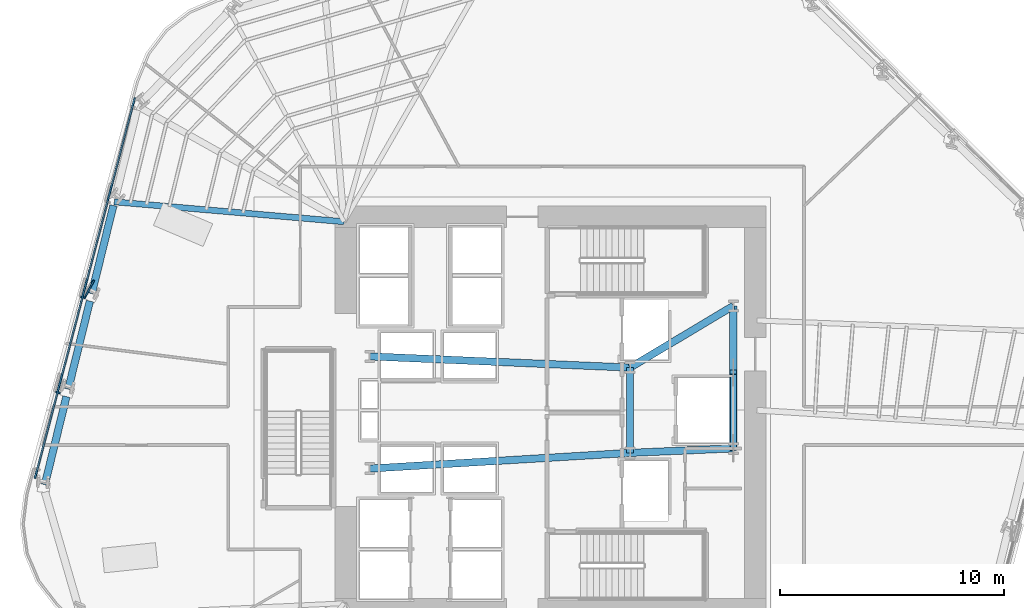
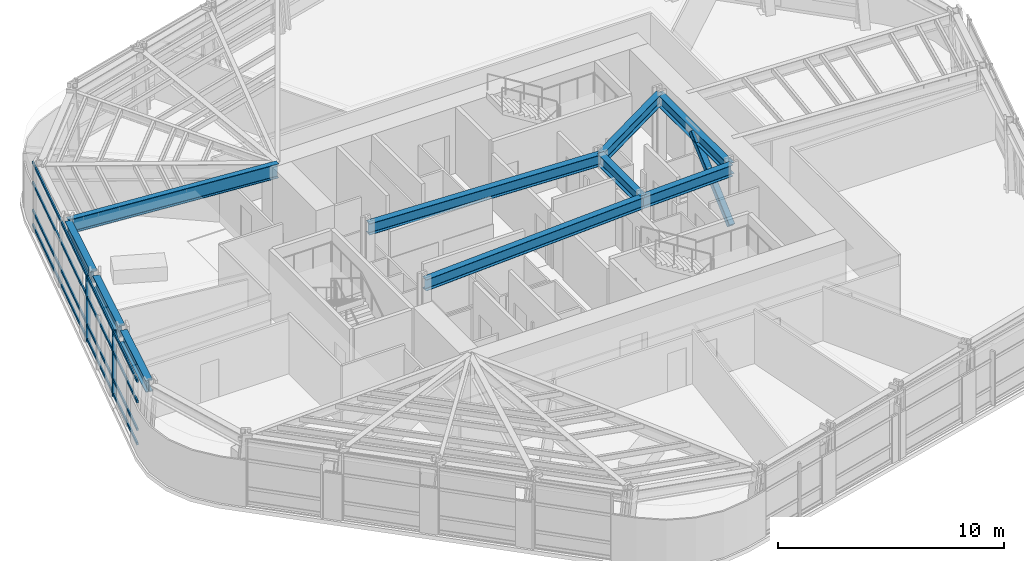
# One storey, part 3 of 16: 10 beams, 8 members, 1 element without a shape of its own.
"""IFC4 building model written with IfcOpenShell, lengths in metres."""

from ifc_helpers import new_model, si_unit, direction, frame, origin, origin_2d, place, context, subcontext, project, spatial, rectangle, hollow_rectangle, i_section, extrude, material, layer, layer_set, material_profile, profile_set, type_object, element, aggregate, save


model = new_model("IFC4")

# Units and contexts
model_context = context("Model", 3, precision=1e-05, world=origin(), true_north=direction((0.0, 1.0)))
body_context = subcontext(model_context, "Body", "Model", "MODEL_VIEW")
ifc_project = project(units=[si_unit("LENGTHUNIT", "METRE"), si_unit("AREAUNIT", "SQUARE_METRE"), si_unit("VOLUMEUNIT", "CUBIC_METRE"), si_unit("PLANEANGLEUNIT", "RADIAN"), si_unit("MASSUNIT", "GRAM", prefix="KILO")], contexts=[model_context])

# Site, building, storey
site_placement = place(None, origin())
site = spatial("IfcSite", under=ifc_project, at=site_placement, CompositionType="ELEMENT")
building_placement = place(site_placement, origin())
building = spatial("IfcBuilding", under=site, at=building_placement, Name="Valkerne Bourse Tower", CompositionType="ELEMENT")
storey_placement = place(building_placement, frame((0.0, 0.0, 89.60009765625)))
storey = spatial("IfcBuildingStorey", under=building, at=storey_placement, Name="L22", CompositionType="ELEMENT", Elevation=89.60009765625)

# Beams
ifc_material_1 = material(Name="Steel ASTM A992", Category="steel")
ifc_material_profile_1 = material_profile(ifc_material_1, i_section(OverallWidth=0.3251953125, OverallDepth=0.612060546875, WebThickness=0.0126953125, FlangeThickness=0.01904296875, FilletRadius=0.020263671875, at=origin_2d()), Name="W24X104")
ifc_profile_set_1 = profile_set([ifc_material_profile_1], Name="Steel ASTM A992")
beam_type_1 = type_object("IfcBeamType", Name="BM-W24X104", PredefinedType="BEAM", material=ifc_profile_set_1)
beam_1_placement = place(storey_placement, frame((50.35009765625, 25.10009765625, 3.27392578125), z_axis=(0.0, 1.0, 0.0), x_axis=(-1.0, 0.0, 0.0)))
element("IfcBeam", 1, at=beam_1_placement, inside=storey, type_object=beam_type_1, Name="L22 Core Frame Girder CG-CE", PredefinedType="BEAM", context=body_context, shape_type="SweptSolid", body=[
    extrude(i_section(OverallWidth=0.3251953125, OverallDepth=0.612060546875, WebThickness=0.0126953125, FlangeThickness=0.01904296875, FilletRadius=0.020263671875, at=origin_2d()), origin(), (0.0, 0.0, 1.0), 3.7998046875),
])
beam_2_placement = place(storey_placement, frame((50.35009765625, 25.10009765625, 3.27392578125), z_axis=(0.999056558506, 0.043428019819, 0.0), x_axis=(-0.043428019819, 0.999056558506, 0.0)))
element("IfcBeam", 2, at=beam_2_placement, inside=storey, type_object=beam_type_1, Name="L22 Core Frame Girder CG-SE", PredefinedType="BEAM", context=body_context, shape_type="SweptSolid", body=[
    extrude(i_section(OverallWidth=0.3251953125, OverallDepth=0.612060546875, WebThickness=0.0126953125, FlangeThickness=0.01904296875, FilletRadius=0.020263671875, at=origin_2d()), origin(), (0.0, 0.0, 1.0), 4.604248046875),
])
beam_3_placement = place(storey_placement, frame((50.35009765625, 28.89990234375, 3.27392578125), z_axis=(0.858307823492, 0.513135148019, 0.0), x_axis=(-0.513135148019, 0.858307823492, 0.0)))
element("IfcBeam", 3, at=beam_3_placement, inside=storey, type_object=beam_type_1, Name="L22 Core Frame Girder CG-NE", PredefinedType="BEAM", context=body_context, shape_type="SweptSolid", body=[
    extrude(i_section(OverallWidth=0.3251953125, OverallDepth=0.612060546875, WebThickness=0.0126953125, FlangeThickness=0.01904296875, FilletRadius=0.020263671875, at=origin_2d()), origin(), (0.0, 0.0, 1.0), 5.359130859375),
])
beam_4_placement = place(storey_placement, frame((54.949951171875, 25.300048828125, 3.27392578125), z_axis=(0.0, 1.0, 0.0), x_axis=(-1.0, 0.0, 0.0)))
element("IfcBeam", 4, at=beam_4_placement, inside=storey, type_object=beam_type_1, Name="L22 Core Frame Girder CG-EE", PredefinedType="BEAM", context=body_context, shape_type="SweptSolid", body=[
    extrude(i_section(OverallWidth=0.3251953125, OverallDepth=0.612060546875, WebThickness=0.0126953125, FlangeThickness=0.01904296875, FilletRadius=0.020263671875, at=origin_2d()), origin(), (0.0, 0.0, 1.0), 6.349853515625),
])
beam_5_placement = place(storey_placement, frame((38.75, 24.39990234375, 3.27392578125), z_axis=(0.998183228389, 0.060251494276, 0.0), x_axis=(-0.060251494276, 0.998183228389, 0.0)))
element("IfcBeam", 5, at=beam_5_placement, inside=storey, type_object=beam_type_1, Name="L22 Core Frame Girder CG-SW", PredefinedType="BEAM", context=body_context, shape_type="SweptSolid", body=[
    extrude(i_section(OverallWidth=0.3251953125, OverallDepth=0.612060546875, WebThickness=0.0126953125, FlangeThickness=0.01904296875, FilletRadius=0.020263671875, at=origin_2d()), origin(), (0.0, 0.0, 1.0), 11.62109375),
])
beam_6_placement = place(storey_placement, frame((38.75, 29.39990234375, 3.27392578125), z_axis=(0.999072354402, -0.043063101019, 0.0), x_axis=(0.043063101019, 0.999072354402, 0.0)))
element("IfcBeam", 6, at=beam_6_placement, inside=storey, type_object=beam_type_1, Name="L22 Core Frame Girder CG-NW", PredefinedType="BEAM", context=body_context, shape_type="SweptSolid", body=[
    extrude(i_section(OverallWidth=0.3251953125, OverallDepth=0.612060546875, WebThickness=0.0126953125, FlangeThickness=0.01904296875, FilletRadius=0.020263671875, at=origin_2d()), origin(), (0.0, 0.0, 1.0), 11.61083984375),
])
ifc_material_profile_2 = material_profile(ifc_material_1, i_section(OverallWidth=0.330078125, OverallDepth=0.647705078125, WebThickness=0.0205078125, FlangeThickness=0.037109375, FilletRadius=0.020263671875, at=origin_2d()), Name="W24X192")
ifc_profile_set_2 = profile_set([ifc_material_profile_2], Name="Steel ASTM A992")
beam_type_2 = type_object("IfcBeamType", Name="BM-W24X192", PredefinedType="SPANDREL", material=ifc_profile_set_2)
for number, where, z_axis, x_axis, name in (
    (7, (27.325927734375, 36.12158203125, 3.256103515625), (-0.23852673357, -0.97113593146, 0.0), (0.97113593146, -0.23852673357, 0.0), "L22 Hexagonal Spandrel Ring Beam 11"),
    (8, (26.280517578125, 31.864990234375, 3.256103515625), (-0.23852673357, -0.97113593146, 0.0), (0.97113593146, -0.23852673357, 0.0), "L22 Hexagonal Spandrel Ring Beam 12"),
):
    element("IfcBeam", number, at=place(storey_placement, frame(where, z_axis=z_axis, x_axis=x_axis)), inside=storey, type_object=beam_type_2, Name=name, PredefinedType="SPANDREL", context=body_context, shape_type="SweptSolid", body=[
        extrude(i_section(OverallWidth=0.330078125, OverallDepth=0.647705078125, WebThickness=0.0205078125, FlangeThickness=0.037109375, FilletRadius=0.020263671875, at=origin_2d()), origin(), (0.0, 0.0, 1.0), 4.04296875),
    ])
beam_7_placement = place(storey_placement, frame((25.23486328125, 27.6083984375, 3.256103515625), z_axis=(-0.238540722411, -0.971132495467, 0.0), x_axis=(0.971132495467, -0.238540722411, 0.0)))
element("IfcBeam", 9, at=beam_7_placement, inside=storey, type_object=beam_type_2, Name="L22 Hexagonal Spandrel Ring Beam 13", PredefinedType="SPANDREL", context=body_context, shape_type="SweptSolid", body=[
    extrude(i_section(OverallWidth=0.330078125, OverallDepth=0.647705078125, WebThickness=0.0205078125, FlangeThickness=0.037109375, FilletRadius=0.020263671875, at=origin_2d()), origin(), (0.0, 0.0, 1.0), 4.042724609375),
])
ifc_material_profile_3 = material_profile(ifc_material_1, i_section(OverallWidth=0.26806640625, OverallDepth=0.76953125, WebThickness=0.015625, FlangeThickness=0.025390625, FilletRadius=0.025390625, at=origin_2d()), Name="W30X132")
ifc_profile_set_3 = profile_set([ifc_material_profile_3], Name="Steel ASTM A992")
beam_type_3 = type_object("IfcBeamType", Name="BM-W30X132", PredefinedType="BEAM", material=ifc_profile_set_3)
beam_8_placement = place(storey_placement, frame((27.366455078125, 36.28662109375, 3.195068359375), z_axis=(0.996267118234, -0.086323977704, 0.0), x_axis=(0.086323977704, 0.996267118234, 0.0)))
element("IfcBeam", 10, at=beam_8_placement, inside=storey, type_object=beam_type_3, Name="L22 Radial Composite Floor Beam 11", PredefinedType="BEAM", context=body_context, shape_type="SweptSolid", body=[
    extrude(i_section(OverallWidth=0.26806640625, OverallDepth=0.76953125, WebThickness=0.015625, FlangeThickness=0.025390625, FilletRadius=0.025390625, at=origin_2d()), origin(), (0.0, 0.0, 1.0), 10.27197265625),
])

# Curtain wall, members
ifc_material_2 = material(Name="Aluminium AA 6063-T6", Category="aluminium")
ifc_layer = layer(ifc_material_2, 0.22998046875)
ifc_layer_set = layer_set([ifc_layer], Name="Aluminium AA 6063-T6")
curtain_wall_type = type_object("IfcCurtainWallType", Name="CW-02", PredefinedType="NOTDEFINED", material=ifc_layer_set)
curtain_wall_placement = place(storey_placement, origin())
curtain_wall = element("IfcCurtainWall", 11, at=curtain_wall_placement, inside=storey, type_object=curtain_wall_type, Name="L22 Hexagonal Stick Curtain Wall Face 3", PredefinedType="NOTDEFINED")
ifc_material_profile_4 = material_profile(ifc_material_2, rectangle(XDim=0.074951171875, YDim=0.199951171875, at=origin_2d()), Name="CWM-75X200")
ifc_profile_set_4 = profile_set([ifc_material_profile_4], Name="Aluminium AA 6063-T6")
member_type_1 = type_object("IfcMemberType", Name="CW-MUL-220X75", PredefinedType="MULLION", material=ifc_profile_set_4)
member_1_placement = place(storey_placement, frame((25.967041015625, 32.03125, 0.0), z_axis=(0.0, 0.0, 1.0), x_axis=(-0.253749782108, -0.967269894125, 0.0)))
member_1 = element("IfcMember", 12, at=member_1_placement, type_object=member_type_1, Name="CW-L22-F3 Jamb Mullion 02A", PredefinedType="MULLION", context=body_context, shape_type="SweptSolid", body=[
    extrude(rectangle(XDim=0.074951171875, YDim=0.199951171875, at=origin_2d()), origin(), (0.0, 0.0, 1.0), 3.579833984375),
])
member_2_placement = place(storey_placement, frame((24.85498046875, 27.79150390625, 0.0), z_axis=(0.0, 0.0, 1.0), x_axis=(-0.253755382081, -0.967268425033, 0.0)))
member_2 = element("IfcMember", 13, at=member_2_placement, type_object=member_type_1, Name="CW-L22-F3 Jamb Mullion 03A", PredefinedType="MULLION", context=body_context, shape_type="SweptSolid", body=[
    extrude(rectangle(XDim=0.074951171875, YDim=0.199951171875, at=origin_2d()), origin(), (0.0, 0.0, 1.0), 3.579833984375),
])
ifc_material_profile_5 = material_profile(ifc_material_2, rectangle(XDim=0.074951171875, YDim=0.14990234375, at=origin_2d()), Name="CWT-75X150")
ifc_profile_set_5 = profile_set([ifc_material_profile_5], Name="Aluminium AA 6063-T6")
member_type_2 = type_object("IfcMemberType", Name="CW-TRN-180X65", PredefinedType="USERDEFINED", material=ifc_profile_set_5)
member_3_placement = place(storey_placement, frame((28.27880859375, 40.921630859375, 0.119873046875), z_axis=(-0.253761172823, -0.967266905858, 0.0), x_axis=(0.967266905858, -0.253761172823, 0.0)))
member_3 = element("IfcMember", 14, at=member_3_placement, type_object=member_type_2, Name="CW-L22-F3 Continuous Face Transom 1", ObjectType="TRANSOM", PredefinedType="USERDEFINED", context=body_context, shape_type="SweptSolid", body=[
    extrude(rectangle(XDim=0.074951171875, YDim=0.14990234375, at=origin_2d()), origin(), (0.0, 0.0, 1.0), 17.5322265625),
])
member_4_placement = place(storey_placement, frame((28.27880859375, 40.921630859375, 0.89990234375), z_axis=(-0.253761172823, -0.967266905858, 0.0), x_axis=(0.967266905858, -0.253761172823, 0.0)))
member_4 = element("IfcMember", 15, at=member_4_placement, type_object=member_type_2, Name="CW-L22-F3 Continuous Face Transom 2", ObjectType="TRANSOM", PredefinedType="USERDEFINED", context=body_context, shape_type="SweptSolid", body=[
    extrude(rectangle(XDim=0.074951171875, YDim=0.14990234375, at=origin_2d()), origin(), (0.0, 0.0, 1.0), 17.5322265625),
])
member_5_placement = place(storey_placement, frame((28.27880859375, 40.921630859375, 2.39990234375), z_axis=(-0.253761172823, -0.967266905858, 0.0), x_axis=(0.967266905858, -0.253761172823, 0.0)))
member_5 = element("IfcMember", 16, at=member_5_placement, type_object=member_type_2, Name="CW-L22-F3 Continuous Face Transom 3", ObjectType="TRANSOM", PredefinedType="USERDEFINED", context=body_context, shape_type="SweptSolid", body=[
    extrude(rectangle(XDim=0.074951171875, YDim=0.14990234375, at=origin_2d()), origin(), (0.0, 0.0, 1.0), 17.5322265625),
])
member_6_placement = place(storey_placement, frame((28.27880859375, 40.921630859375, 3.5), z_axis=(-0.253761172823, -0.967266905858, 0.0), x_axis=(0.967266905858, -0.253761172823, 0.0)))
member_6 = element("IfcMember", 17, at=member_6_placement, type_object=member_type_2, Name="CW-L22-F3 Continuous Face Transom 4", ObjectType="TRANSOM", PredefinedType="USERDEFINED", context=body_context, shape_type="SweptSolid", body=[
    extrude(rectangle(XDim=0.074951171875, YDim=0.14990234375, at=origin_2d()), origin(), (0.0, 0.0, 1.0), 17.5322265625),
])
aggregate(curtain_wall, [member_3, member_4, member_5, member_6, member_1, member_2])

# Members
ifc_material_3 = material(Name="Bronze Anodised Aluminium AA 6063-T6", Category="aluminium")
ifc_material_profile_6 = material_profile(ifc_material_3, rectangle(XDim=0.070068359375, YDim=0.89990234375, at=origin_2d()), Name="FIN-70X900")
ifc_profile_set_6 = profile_set([ifc_material_profile_6], Name="Bronze Anodised Aluminium AA 6063-T6")
member_type_3 = type_object("IfcMemberType", Name="FIN-SOLAR-900", PredefinedType="USERDEFINED", material=ifc_profile_set_6)
member_7_placement = place(storey_placement, frame((26.247802734375, 32.391845703125, 0.00390625), z_axis=(0.0, 0.0, 1.0), x_axis=(-0.883017754171, 0.469339584755, 0.0)))
element("IfcMember", 18, at=member_7_placement, inside=storey, type_object=member_type_3, Name="L22 Bronze Anodised Solar Fin F3-02", ObjectType="SOLAR_FIN", PredefinedType="USERDEFINED", context=body_context, shape_type="SweptSolid", body=[
    extrude(rectangle(XDim=0.070068359375, YDim=0.89990234375, at=origin_2d()), origin(), (0.0, 0.0, 1.0), 3.572021484375),
])
ifc_material_4 = material(Name="Steel ASTM A500 Grade C", Category="steel")
ifc_material_profile_7 = material_profile(ifc_material_4, hollow_rectangle(XDim=0.300048828125, YDim=0.300048828125, WallThickness=0.012451171875, OuterFilletRadius=0.02490234375, at=origin_2d()), Name="HSS300X300X12.5")
ifc_profile_set_7 = profile_set([ifc_material_profile_7], Name="Steel ASTM A500 Grade C")
member_type_4 = type_object("IfcMemberType", Name="MBR-HSS300X300X12.5", PredefinedType="STRUT", material=ifc_profile_set_7)
member_8_placement = place(storey_placement, frame((54.949951171875, 25.300048828125, 0.219970703125), z_axis=(0.0, 0.743941933778, 0.668244266094), x_axis=(-1.0, 0.0, 0.0)))
element("IfcMember", 19, at=member_8_placement, inside=storey, type_object=member_type_4, Name="L22 Core Service Pier Lateral Brace", PredefinedType="STRUT", context=body_context, shape_type="SweptSolid", body=[
    extrude(hollow_rectangle(XDim=0.300048828125, YDim=0.300048828125, WallThickness=0.012451171875, OuterFilletRadius=0.02490234375, at=origin_2d()), origin(), (0.0, 0.0, 1.0), 4.570068359375),
])

save(model, "model.ifc")
